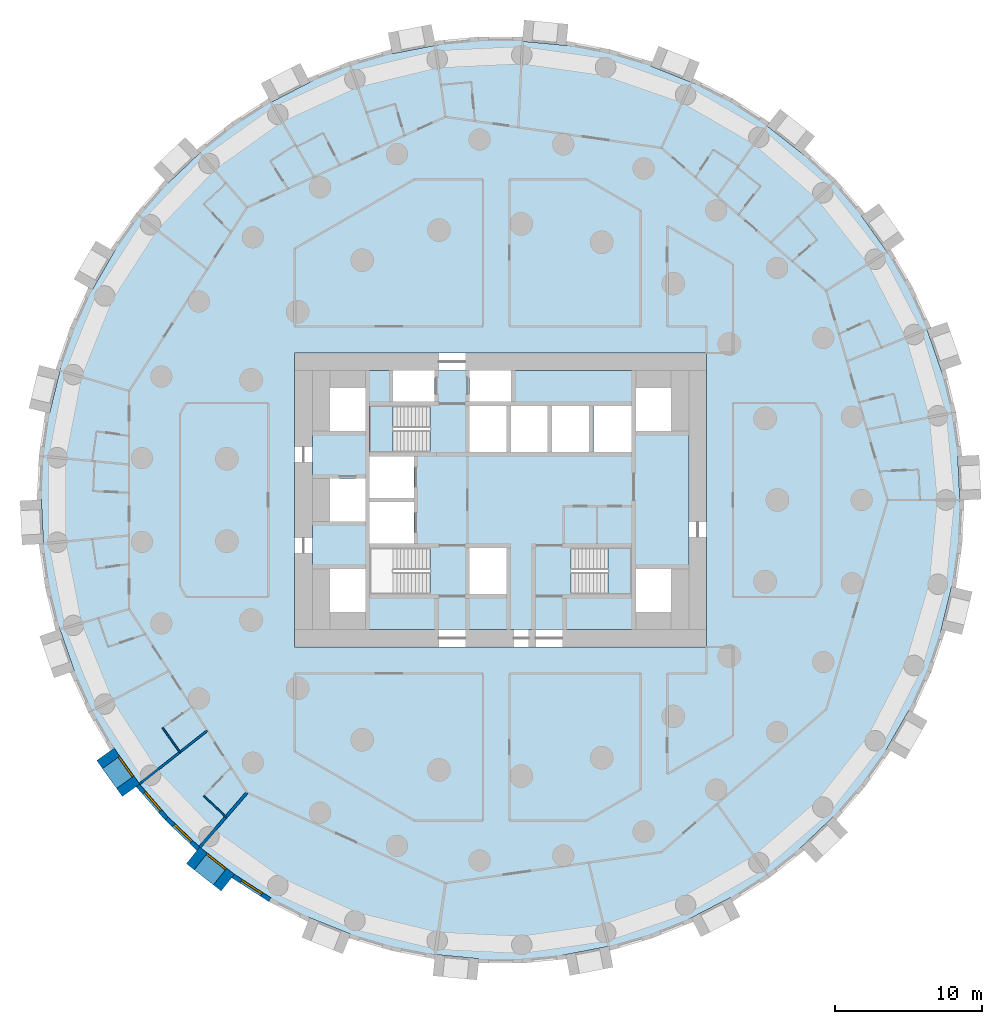
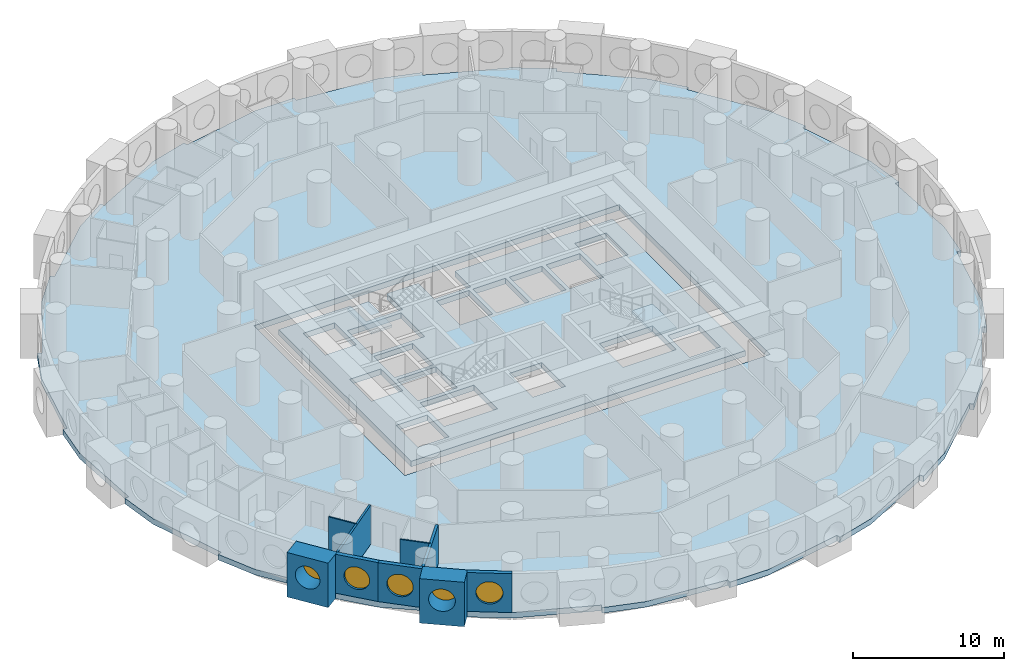
# One storey, part 2 of 12: 9 walls, 5 windows, 4 slabs, 5 openings, 2 elements without a shape of their own.
"""IFC4 building model written with IfcOpenShell, lengths in metres."""

from ifc_helpers import new_model, si_unit, direction, frame, frame_2d, origin, origin_2d, place, context, subcontext, project, spatial, polyline, rectangle, circle, outline, extrude, material, layer, layer_set, type_object, element, fill, aggregate, save


model = new_model("IFC4")

# Units and contexts
model_context = context("Model", 3, precision=1e-05, world=origin(), true_north=direction((0.0, 1.0)))
body_context = subcontext(model_context, "Body", "Model", "MODEL_VIEW")
ifc_project = project(units=[si_unit("LENGTHUNIT", "METRE"), si_unit("AREAUNIT", "SQUARE_METRE"), si_unit("VOLUMEUNIT", "CUBIC_METRE"), si_unit("PLANEANGLEUNIT", "RADIAN"), si_unit("MASSUNIT", "GRAM", prefix="KILO")], contexts=[model_context])

# Site, building, storey
site_placement = place(None, origin())
site = spatial("IfcSite", under=ifc_project, at=site_placement, CompositionType="ELEMENT")
building_placement = place(site_placement, origin())
building = spatial("IfcBuilding", under=site, at=building_placement, Name="Tracery Tower", CompositionType="ELEMENT")
storey_placement = place(building_placement, frame((0.0, 0.0, 35.39990234375)))
storey = spatial("IfcBuildingStorey", under=building, at=storey_placement, Name="L07", CompositionType="ELEMENT", Elevation=35.39990234375)

# Slabs
ifc_material_1 = material(Name="Concrete C60/75", Category="concrete")
ifc_layer_1 = layer(ifc_material_1, 0.449951171875)
ifc_layer_set_1 = layer_set([ifc_layer_1], Name="Core floor slab 450 C60")
slab_type_1 = type_object("IfcSlabType", Name="Core floor slab 450 C60", PredefinedType="FLOOR", material=ifc_layer_set_1)
slab_1_placement = place(storey_placement, frame((0.0, 0.0, -0.449951171875)))
element("IfcSlab", 1, at=slab_1_placement, inside=storey, type_object=slab_type_1, Name="L07 core floor 1", PredefinedType="FLOOR", context=body_context, shape_type="SweptSolid", body=[
    extrude(outline(polyline([(-12.800048828125, 8.800048828125), (-7.300048828125, 8.800048828125), (-7.300048828125, 6.699951171875), (-4.5, 6.699951171875), (-4.5, 8.800048828125), (-2.10009765625, 8.800048828125), (-2.10009765625, 6.699951171875), (0.699951171875, 6.699951171875), (0.699951171875, 8.800048828125), (12.800048828125, 8.800048828125), (12.800048828125, -8.800048828125), (-12.800048828125, -8.800048828125), (-12.800048828125, 8.800048828125)]), holes=[polyline([(11.60009765625, -7.60009765625), (11.60009765625, -4.699951171875), (9.199951171875, -4.699951171875), (9.199951171875, -7.60009765625), (11.60009765625, -7.60009765625)]), polyline([(11.60009765625, 4.699951171875), (11.60009765625, 7.60009765625), (9.199951171875, 7.60009765625), (9.199951171875, 4.699951171875), (11.60009765625, 4.699951171875)]), polyline([(4.800537109375, -3.25), (4.800537109375, -6.39990234375), (8.89990234375, -6.39990234375), (8.89990234375, -3.25), (4.800537109375, -3.25)]), polyline([(6.300048828125, 3.25), (8.89990234375, 3.25), (8.89990234375, 6.39990234375), (6.300048828125, 6.39990234375), (6.300048828125, 3.25)]), polyline([(3.5, 3.25), (6.0, 3.25), (6.0, 6.39990234375), (3.5, 6.39990234375), (3.5, 3.25)]), polyline([(3.199951171875, 3.25), (3.199951171875, 6.39990234375), (0.699951171875, 6.39990234375), (0.699951171875, 3.25), (3.199951171875, 3.25)]), polyline([(-2.10009765625, 3.25), (0.39990234375, 3.25), (0.39990234375, 6.39990234375), (-2.10009765625, 6.39990234375), (-2.10009765625, 3.25)]), polyline([(0.39990234375, -6.39990234375), (0.39990234375, -3.25), (-2.10009765625, -3.25), (-2.10009765625, -6.39990234375), (0.39990234375, -6.39990234375)]), polyline([(-4.800537109375, -3.25), (-8.89990234375, -3.25), (-8.89990234375, -6.39990234375), (-4.800537109375, -6.39990234375), (-4.800537109375, -3.25)]), polyline([(-4.800537109375, 6.39990234375), (-8.89990234375, 6.39990234375), (-8.89990234375, 3.25), (-4.800537109375, 3.25), (-4.800537109375, 6.39990234375)]), polyline([(-8.89990234375, -2.949951171875), (-5.89990234375, -2.949951171875), (-5.89990234375, -0.14990234375), (-8.89990234375, -0.14990234375), (-8.89990234375, -2.949951171875)]), polyline([(-5.89990234375, 0.14990234375), (-5.89990234375, 2.949951171875), (-8.89990234375, 2.949951171875), (-8.89990234375, 0.14990234375), (-5.89990234375, 0.14990234375)]), polyline([(-11.60009765625, 4.699951171875), (-9.199951171875, 4.699951171875), (-9.199951171875, 7.60009765625), (-11.60009765625, 7.60009765625), (-11.60009765625, 4.699951171875)]), polyline([(-9.199951171875, -7.60009765625), (-9.199951171875, -4.699951171875), (-11.60009765625, -4.699951171875), (-11.60009765625, -7.60009765625), (-9.199951171875, -7.60009765625)]), polyline([(-9.199951171875, -1.449951171875), (-9.199951171875, 1.449951171875), (-11.60009765625, 1.449951171875), (-11.60009765625, -1.449951171875), (-9.199951171875, -1.449951171875)])]), origin(), (0.0, 0.0, 1.0), 0.449951171875),
])
ifc_material_2 = material(Name="Concrete C50/60", Category="concrete")
ifc_layer_2 = layer(ifc_material_2, 0.449951171875)
ifc_layer_set_2 = layer_set([ifc_layer_2], Name="Floor slab 450")
slab_type_2 = type_object("IfcSlabType", Name="Floor slab 450", PredefinedType="FLOOR", material=ifc_layer_set_2)
slab_2_placement = place(storey_placement, frame((0.0, 0.0, -0.449951171875)))
element("IfcSlab", 2, at=slab_2_placement, inside=storey, type_object=slab_type_2, Name="Floor slab L07", PredefinedType="FLOOR", context=body_context, shape_type="SweptSolid", body=[
    extrude(outline(polyline([(29.964111328125, 8.783447265625), (29.964111328125, 8.783447265625), (28.98291015625, 11.618408203125), (29.266357421875, 11.716552734375), (28.020263671875, 14.4453125), (26.27587890625, 16.869384765625), (26.27587890625, 16.869384765625), (26.27001953125, 16.877685546875), (26.267578125, 16.881103515625), (24.81201171875, 18.9248046875), (24.53564453125, 19.313232421875), (24.780029296875, 19.4873046875), (22.8154296875, 21.75439453125), (20.458740234375, 23.5888671875), (20.458740234375, 23.5888671875), (20.4541015625, 23.592529296875), (20.447509765625, 23.59765625), (18.11181640625, 25.4345703125), (18.11181640625, 25.4345703125), (18.1005859375, 25.443359375), (18.2861328125, 25.67919921875), (15.76220703125, 27.301025390625), (12.984375, 28.397216796875), (12.984375, 28.397216796875), (10.19921875, 29.51220703125), (10.310791015625, 29.790771484375), (7.43212890625, 30.635986328125), (4.4580078125, 30.905029296875), (4.4580078125, 30.905029296875), (4.45166015625, 30.90576171875), (4.443603515625, 30.906494140625), (1.859375, 31.1533203125), (1.471435546875, 31.190185546875), (1.5, 31.489013671875), (1.5, 31.489013671875), (-1.5, 31.489013671875), (-4.4296875, 30.9091796875), (-4.4296875, 30.9091796875), (-4.4365234375, 30.90771484375), (-4.443603515625, 30.906494140625), (-7.114501953125, 30.3916015625), (-7.37548828125, 30.34130859375), (-7.43212890625, 30.635986328125), (-10.310791015625, 29.790771484375), (-12.95849609375, 28.4091796875), (-12.958251953125, 28.4091796875), (-13.0693359375, 28.351806640625), (-15.612060546875, 27.041015625), (-15.612060546875, 27.041015625), (-15.624755859375, 27.034423828125), (-15.76220703125, 27.301025390625), (-15.76220703125, 27.301025390625), (-18.2861328125, 25.67919921875), (-20.437255859375, 23.607666015625), (-20.437255859375, 23.607666015625), (-20.441162109375, 23.603759765625), (-20.447509765625, 23.59765625), (-21.854736328125, 22.256103515625), (-22.6083984375, 21.537353515625), (-22.8154296875, 21.75439453125), (-24.780029296875, 19.4873046875), (-26.260498046875, 16.8935546875), (-26.260498046875, 16.8935546875), (-26.265380859375, 16.884765625), (-26.267578125, 16.881103515625), (-27.753173828125, 14.307861328125), (-27.753173828125, 14.307861328125), (-27.760498046875, 14.29541015625), (-28.02001953125, 14.4453125), (-28.020263671875, 14.4453125), (-29.266357421875, 11.716552734375), (-29.956298828125, 8.810791015625), (-29.9560546875, 8.810791015625), (-30.6015625, 6.150390625), (-30.659912109375, 5.9091796875), (-30.659912109375, 5.9091796875), (-30.663330078125, 5.895263671875), (-30.954833984375, 5.966064453125), (-31.3818359375, 2.99658203125), (-31.22509765625, 0.014404296875), (-31.224853515625, 0.014404296875), (-31.082275390625, -2.982421875), (-31.3818359375, -2.99658203125), (-30.954833984375, -5.966064453125), (-29.964111328125, -8.783447265625), (-29.964111328125, -8.783447265625), (-28.98291015625, -11.618408203125), (-29.266357421875, -11.716552734375), (-28.020263671875, -14.4453125), (-26.27587890625, -16.869384765625), (-26.27587890625, -16.869384765625), (-26.27001953125, -16.877685546875), (-26.267578125, -16.881103515625), (-24.81201171875, -18.9248046875), (-24.53564453125, -19.313232421875), (-24.780029296875, -19.4873046875), (-22.8154296875, -21.75439453125), (-20.458740234375, -23.5888671875), (-20.458740234375, -23.5888671875), (-20.4541015625, -23.592529296875), (-20.447509765625, -23.59765625), (-18.11181640625, -25.4345703125), (-18.11181640625, -25.4345703125), (-18.1005859375, -25.443359375), (-18.2861328125, -25.67919921875), (-15.76220703125, -27.301025390625), (-12.984375, -28.397216796875), (-12.984375, -28.397216796875), (-10.19921875, -29.51220703125), (-10.310791015625, -29.790771484375), (-7.43212890625, -30.635986328125), (-4.4580078125, -30.905029296875), (-4.4580078125, -30.905029296875), (-4.45166015625, -30.90576171875), (-4.443603515625, -30.906494140625), (-1.859375, -31.1533203125), (-1.471435546875, -31.190185546875), (-1.5, -31.489013671875), (-1.5, -31.489013671875), (1.5, -31.489013671875), (4.4296875, -30.9091796875), (4.4296875, -30.9091796875), (4.4365234375, -30.90771484375), (4.443603515625, -30.906494140625), (7.114501953125, -30.3916015625), (7.37548828125, -30.34130859375), (7.43212890625, -30.635986328125), (10.310791015625, -29.790771484375), (12.95849609375, -28.4091796875), (12.958251953125, -28.4091796875), (13.0693359375, -28.351806640625), (15.612060546875, -27.041015625), (15.612060546875, -27.041015625), (15.624755859375, -27.034423828125), (15.76220703125, -27.301025390625), (15.76220703125, -27.301025390625), (18.2861328125, -25.67919921875), (20.437255859375, -23.607666015625), (20.437255859375, -23.607666015625), (20.441162109375, -23.603759765625), (20.447509765625, -23.59765625), (21.854736328125, -22.256103515625), (22.6083984375, -21.537353515625), (22.8154296875, -21.75439453125), (24.780029296875, -19.4873046875), (26.260498046875, -16.8935546875), (26.260498046875, -16.8935546875), (26.265380859375, -16.884765625), (26.267578125, -16.881103515625), (27.753173828125, -14.307861328125), (27.753173828125, -14.307861328125), (27.760498046875, -14.29541015625), (28.02001953125, -14.4453125), (28.020263671875, -14.4453125), (29.266357421875, -11.716552734375), (29.956298828125, -8.810791015625), (29.9560546875, -8.810791015625), (30.6015625, -6.150390625), (30.659912109375, -5.9091796875), (30.659912109375, -5.9091796875), (30.663330078125, -5.895263671875), (30.954833984375, -5.966064453125), (31.3818359375, -2.99658203125), (31.22509765625, -0.014404296875), (31.224853515625, -0.014404296875), (31.082275390625, 2.982421875), (31.3818359375, 2.99658203125), (30.954833984375, 5.966064453125), (29.964111328125, 8.783447265625)]), holes=[polyline([(-14.0, -10.0), (14.0, -10.0), (14.0, 10.0), (-14.0, 10.0), (-14.0, -10.0)])]), origin(), (0.0, 0.0, 1.0), 0.449951171875),
])

# Stair, slab
ifc_material_3 = material(Name="Concrete C32/40", Category="concrete")
stair_type = type_object("IfcStairType", Name="Core stair 22 risers", PredefinedType="HALF_TURN_STAIR", material=ifc_material_3)
stair_1_placement = place(storey_placement, origin())
stair_1 = element("IfcStair", 3, at=stair_1_placement, inside=storey, type_object=stair_type, Name="L07 stair ST3", PredefinedType="HALF_TURN_STAIR")
ifc_material_4 = material(Name="Concrete C32/40", Category="concrete")
ifc_layer_3 = layer(ifc_material_4, 0.199951171875)
ifc_layer_set_3 = layer_set([ifc_layer_3], Name="Stair landing slab 200")
slab_type_3 = type_object("IfcSlabType", Name="Stair landing slab 200", PredefinedType="LANDING", material=ifc_layer_set_3)
slab_3_placement = place(storey_placement, frame((0.0, 0.0, 1.60009765625)))
slab_3 = element("IfcSlab", 4, at=slab_3_placement, type_object=slab_type_3, Name="ST3 landing 1", PredefinedType="LANDING", context=body_context, shape_type="SweptSolid", body=[
    extrude(outline(polyline([(-7.29931640625, 6.39990234375), (-8.89990234375, 6.39990234375), (-8.89990234375, 3.25), (-7.29931640625, 3.25), (-7.29931640625, 6.39990234375)])), origin(), (0.0, 0.0, 1.0), 0.199951171875),
])
aggregate(stair_1, [slab_3])

stair_2_placement = place(storey_placement, origin())
stair_2 = element("IfcStair", 5, at=stair_2_placement, inside=storey, type_object=stair_type, Name="L07 stair ST2", PredefinedType="HALF_TURN_STAIR")
slab_4_placement = place(storey_placement, frame((0.0, 0.0, 1.60009765625)))
slab_4 = element("IfcSlab", 6, at=slab_4_placement, type_object=slab_type_3, Name="ST2 landing 1", PredefinedType="LANDING", context=body_context, shape_type="SweptSolid", body=[
    extrude(outline(polyline([(7.29931640625, -6.39990234375), (8.89990234375, -6.39990234375), (8.89990234375, -3.25), (7.29931640625, -3.25), (7.29931640625, -6.39990234375)])), origin(), (0.0, 0.0, 1.0), 0.199951171875),
])
aggregate(stair_2, [slab_4])

# Wall, opening, window
ifc_material_5 = material(Name="Precast concrete C50/60", Category="concrete")
ifc_layer_4 = layer(ifc_material_5, 1.449951171875)
ifc_layer_set_4 = layer_set([ifc_layer_4], Name="Deep-set bay unit 3000 x 3600, slab edge 450")
wall_type_1 = type_object("IfcWallType", Name="Deep-set bay unit 3000 x 3600, slab edge 450", PredefinedType="ELEMENTEDWALL", material=ifc_layer_set_4)
wall_1_placement = place(storey_placement, frame((-26.866455078125, -17.2900390625, -0.449951171875), z_axis=(0.0, 0.0, 1.0), x_axis=(0.580090570606, -0.814551981088, 0.0)))
wall_1 = element("IfcWall", 7, at=wall_1_placement, inside=storey, type_object=wall_type_1, Name="Deep-set bay unit 40 at L07", PredefinedType="ELEMENTEDWALL", context=body_context, shape_type="SweptSolid", body=[
    extrude(rectangle(XDim=3.0, YDim=1.449951171875, at=frame_2d((1.5, 0.0))), origin(), (0.0, 0.0, 1.0), 3.60009765625),
])
opening_1_placement = place(wall_1_placement, frame((1.5, 0.0, 2.0)))
opening_1 = element("IfcOpeningElement", 8, at=opening_1_placement, cuts=wall_1, Name="Opening WN1", PredefinedType="OPENING", context=body_context, shape_type="SweptSolid", body=[
    extrude(circle(Radius=0.9000244140625, at=origin_2d()), frame((0.0, 0.73486328125, 0.0), z_axis=(0.0, -1.0, 0.0), x_axis=(1.0, 0.0, 0.0)), (0.0, 0.0, 1.0), 1.469970703125),
])
ifc_material_6 = material(Name="Aluminium frame with tinted double glazing", Category="aluminium")
window_type = type_object("IfcWindowType", Name="Round window 1800", PartitioningType="SINGLE_PANEL", PredefinedType="WINDOW", material=ifc_material_6)
window_1_placement = place(opening_1_placement, origin())
window_1 = element("IfcWindow", 9, at=window_1_placement, inside=storey, type_object=window_type, Name="Round window 40 at L07", OverallHeight=1.800048828125, OverallWidth=1.800048828125, PartitioningType="SINGLE_PANEL", PredefinedType="WINDOW", context=body_context, shape_type="SweptSolid", body=[
    extrude(circle(Radius=0.9000244140625, at=origin_2d()), frame((0.0, 0.69482421875, 0.0), z_axis=(0.0, -1.0, 0.0), x_axis=(1.0, 0.0, 0.0)), (0.0, 0.0, 1.0), 0.10009765625),
])
fill(opening_1, window_1)

wall_2_placement = place(storey_placement, frame((-20.906982421875, -24.15869140625, -0.449951171875), z_axis=(0.0, 0.0, 1.0), x_axis=(0.786049992888, -0.618162930529, 0.0)))
wall_2 = element("IfcWall", 10, at=wall_2_placement, inside=storey, type_object=wall_type_1, Name="Deep-set bay unit 43 at L07", PredefinedType="ELEMENTEDWALL", context=body_context, shape_type="SweptSolid", body=[
    extrude(rectangle(XDim=3.0, YDim=1.449951171875, at=frame_2d((1.5, 0.0))), origin(), (0.0, 0.0, 1.0), 3.60009765625),
])
opening_2_placement = place(wall_2_placement, frame((1.5, 0.0, 2.0)))
opening_2 = element("IfcOpeningElement", 11, at=opening_2_placement, cuts=wall_2, Name="Opening WN1", PredefinedType="OPENING", context=body_context, shape_type="SweptSolid", body=[
    extrude(circle(Radius=0.9000244140625, at=origin_2d()), frame((0.0, 0.73486328125, 0.0), z_axis=(0.0, -1.0, 0.0), x_axis=(1.0, 0.0, 0.0)), (0.0, 0.0, 1.0), 1.469970703125),
])
window_2_placement = place(opening_2_placement, origin())
window_2 = element("IfcWindow", 12, at=window_2_placement, inside=storey, type_object=window_type, Name="Round window 43 at L07", OverallHeight=1.800048828125, OverallWidth=1.800048828125, PartitioningType="SINGLE_PANEL", PredefinedType="WINDOW", context=body_context, shape_type="SweptSolid", body=[
    extrude(circle(Radius=0.9000244140625, at=origin_2d()), frame((0.0, 0.69482421875, 0.0), z_axis=(0.0, -1.0, 0.0), x_axis=(1.0, 0.0, 0.0)), (0.0, 0.0, 1.0), 0.10009765625),
])
fill(opening_2, window_2)

ifc_material_7 = material(Name="Precast concrete C50/60", Category="concrete")
ifc_layer_5 = layer(ifc_material_7, 0.300048828125)
ifc_layer_set_5 = layer_set([ifc_layer_5], Name="Facade panel 3000 x 3150")
wall_type_2 = type_object("IfcWallType", Name="Facade panel 3000 x 3150", PredefinedType="SOLIDWALL", material=ifc_layer_set_5)
wall_3_placement = place(storey_placement, frame((-24.657958984375, -19.39892578125, 0.0), z_axis=(0.0, 0.0, 1.0), x_axis=(0.654830712471, -0.755775587066, 0.0)))
wall_3 = element("IfcWall", 13, at=wall_3_placement, inside=storey, type_object=wall_type_2, Name="Facade panel 41 at L07", PredefinedType="SOLIDWALL", context=body_context, shape_type="SweptSolid", body=[
    extrude(rectangle(XDim=2.979736328125, YDim=0.300048828125, at=frame_2d((1.48974609375, 0.0))), origin(), (0.0, 0.0, 1.0), 3.150146484375),
])
opening_3_placement = place(wall_3_placement, frame((1.48974609375, 0.0, 1.5498046875)))
opening_3 = element("IfcOpeningElement", 14, at=opening_3_placement, cuts=wall_3, Name="Opening WN1", PredefinedType="OPENING", context=body_context, shape_type="SweptSolid", body=[
    extrude(circle(Radius=0.9000244140625, at=origin_2d()), frame((0.0, 0.159912109375, 0.0), z_axis=(0.0, -1.0, 0.0), x_axis=(1.0, 0.0, 0.0)), (0.0, 0.0, 1.0), 0.320068359375),
])
window_3_placement = place(opening_3_placement, origin())
window_3 = element("IfcWindow", 15, at=window_3_placement, inside=storey, type_object=window_type, Name="Round window 41 at L07", OverallHeight=1.800048828125, OverallWidth=1.800048828125, PartitioningType="SINGLE_PANEL", PredefinedType="WINDOW", context=body_context, shape_type="SweptSolid", body=[
    extrude(circle(Radius=0.9000244140625, at=origin_2d()), frame((0.0, 0.1201171875, 0.0), z_axis=(0.0, -1.0, 0.0), x_axis=(1.0, 0.0, 0.0)), (0.0, 0.0, 1.0), 0.10009765625),
])
fill(opening_3, window_3)

wall_4_placement = place(storey_placement, frame((-22.706787109375, -21.65087890625, 0.0), z_axis=(0.0, 0.0, 1.0), x_axis=(0.723744206617, -0.690068346896, 0.0)))
wall_4 = element("IfcWall", 16, at=wall_4_placement, inside=storey, type_object=wall_type_2, Name="Facade panel 42 at L07", PredefinedType="SOLIDWALL", context=body_context, shape_type="SweptSolid", body=[
    extrude(rectangle(XDim=2.979736328125, YDim=0.300048828125, at=frame_2d((1.48974609375, 0.0))), origin(), (0.0, 0.0, 1.0), 3.150146484375),
])
opening_4_placement = place(wall_4_placement, frame((1.48974609375, 0.0, 1.5498046875)))
opening_4 = element("IfcOpeningElement", 17, at=opening_4_placement, cuts=wall_4, Name="Opening WN1", PredefinedType="OPENING", context=body_context, shape_type="SweptSolid", body=[
    extrude(circle(Radius=0.9000244140625, at=origin_2d()), frame((0.0, 0.159912109375, 0.0), z_axis=(0.0, -1.0, 0.0), x_axis=(1.0, 0.0, 0.0)), (0.0, 0.0, 1.0), 0.320068359375),
])
window_4_placement = place(opening_4_placement, origin())
window_4 = element("IfcWindow", 18, at=window_4_placement, inside=storey, type_object=window_type, Name="Round window 42 at L07", OverallHeight=1.800048828125, OverallWidth=1.800048828125, PartitioningType="SINGLE_PANEL", PredefinedType="WINDOW", context=body_context, shape_type="SweptSolid", body=[
    extrude(circle(Radius=0.9000244140625, at=origin_2d()), frame((0.0, 0.1201171875, 0.0), z_axis=(0.0, -1.0, 0.0), x_axis=(1.0, 0.0, 0.0)), (0.0, 0.0, 1.0), 0.10009765625),
])
fill(opening_4, window_4)

wall_5_placement = place(storey_placement, frame((-18.19384765625, -25.56005859375, 0.0), z_axis=(0.0, 0.0, 1.0), x_axis=(0.84122372879, -0.540687190639, 0.0)))
wall_5 = element("IfcWall", 19, at=wall_5_placement, inside=storey, type_object=wall_type_2, Name="Facade panel 44 at L07", PredefinedType="SOLIDWALL", context=body_context, shape_type="SweptSolid", body=[
    extrude(rectangle(XDim=2.979736328125, YDim=0.300048828125, at=frame_2d((1.48974609375, 0.0))), origin(), (0.0, 0.0, 1.0), 3.150146484375),
])
opening_5_placement = place(wall_5_placement, frame((1.48974609375, 0.0, 1.5498046875)))
opening_5 = element("IfcOpeningElement", 20, at=opening_5_placement, cuts=wall_5, Name="Opening WN1", PredefinedType="OPENING", context=body_context, shape_type="SweptSolid", body=[
    extrude(circle(Radius=0.9000244140625, at=origin_2d()), frame((0.0, 0.159912109375, 0.0), z_axis=(0.0, -1.0, 0.0), x_axis=(1.0, 0.0, 0.0)), (0.0, 0.0, 1.0), 0.320068359375),
])
window_5_placement = place(opening_5_placement, origin())
window_5 = element("IfcWindow", 21, at=window_5_placement, inside=storey, type_object=window_type, Name="Round window 44 at L07", OverallHeight=1.800048828125, OverallWidth=1.800048828125, PartitioningType="SINGLE_PANEL", PredefinedType="WINDOW", context=body_context, shape_type="SweptSolid", body=[
    extrude(circle(Radius=0.9000244140625, at=origin_2d()), frame((0.0, 0.1201171875, 0.0), z_axis=(0.0, -1.0, 0.0), x_axis=(1.0, 0.0, 0.0)), (0.0, 0.0, 1.0), 0.10009765625),
])
fill(opening_5, window_5)

# Walls
ifc_material_8 = material(Name="Plasterboard on steel studs", Category="steel")
ifc_layer_6 = layer(ifc_material_8, 0.10009765625)
ifc_layer_set_6 = layer_set([ifc_layer_6], Name="Partition 100 wet wall")
wall_type_3 = type_object("IfcWallType", Name="Partition 100 wet wall", PredefinedType="PARTITIONING", material=ifc_layer_set_6)
wall_6_placement = place(storey_placement, frame((-22.97802734375, -15.486083984375, 0.0), z_axis=(0.0, 0.0, 1.0), x_axis=(0.580283748447, -0.814414373208, 0.0)))
element("IfcWall", 22, at=wall_6_placement, inside=storey, type_object=wall_type_3, Name="Wet wall RA1-107", PredefinedType="PARTITIONING", context=body_context, shape_type="SweptSolid", body=[
    extrude(rectangle(XDim=2.033447265625, YDim=0.10009765625, at=frame_2d((1.0166015625, 0.0))), origin(), (0.0, 0.0, 1.0), 3.150146484375),
])
wall_7_placement = place(storey_placement, frame((-20.1689453125, -20.117919921875, 0.0), z_axis=(0.0, 0.0, 1.0), x_axis=(0.723537557066, -0.690285016145, 0.0)))
element("IfcWall", 23, at=wall_7_placement, inside=storey, type_object=wall_type_3, Name="Wet wall RA1-110", PredefinedType="PARTITIONING", context=body_context, shape_type="SweptSolid", body=[
    extrude(rectangle(XDim=2.070556640625, YDim=0.10009765625, at=frame_2d((1.03515625, 0.0))), origin(), (0.0, 0.0, 1.0), 3.150146484375),
])
ifc_material_9 = material(Name="Plasterboard on steel studs", Category="steel")
ifc_layer_7 = layer(ifc_material_9, 0.14990234375)
ifc_layer_set_7 = layer_set([ifc_layer_7], Name="Partition 150 acoustic unit wall")
wall_type_4 = type_object("IfcWallType", Name="Partition 150 acoustic unit wall", PredefinedType="PARTITIONING", material=ifc_layer_set_7)
wall_8_placement = place(storey_placement, frame((-24.5439453125, -19.302001953125, 0.0), z_axis=(0.0, 0.0, 1.0), x_axis=(0.78597832915, 0.618254046576, 0.0)))
element("IfcWall", 24, at=wall_8_placement, inside=storey, type_object=wall_type_4, Name="Unit wall RA1-108", PredefinedType="PARTITIONING", context=body_context, shape_type="SweptSolid", body=[
    extrude(rectangle(XDim=5.857421875, YDim=0.14990234375, at=frame_2d((2.9287109375, 0.0))), origin(), (0.0, 0.0, 1.0), 3.150146484375),
])
ifc_material_10 = material(Name="Plasterboard on steel studs", Category="steel")
ifc_layer_8 = layer(ifc_material_10, 0.199951171875)
ifc_layer_set_8 = layer_set([ifc_layer_8], Name="Partition 200 compartment wall")
wall_type_5 = type_object("IfcWallType", Name="Partition 200 compartment wall", PredefinedType="PARTITIONING", material=ifc_layer_set_8)
wall_9_placement = place(storey_placement, frame((-20.447998046875, -23.597900390625, 0.0), z_axis=(0.0, 0.0, 1.0), x_axis=(0.654847179409, 0.755761319214, 0.0)))
element("IfcWall", 25, at=wall_9_placement, inside=storey, type_object=wall_type_5, Name="Compartment wall RA1-111", PredefinedType="PARTITIONING", context=body_context, shape_type="SweptSolid", body=[
    extrude(rectangle(XDim=4.90625, YDim=0.199951171875, at=frame_2d((2.453125, 0.0))), origin(), (0.0, 0.0, 1.0), 3.150146484375),
])

save(model, "model.ifc")
